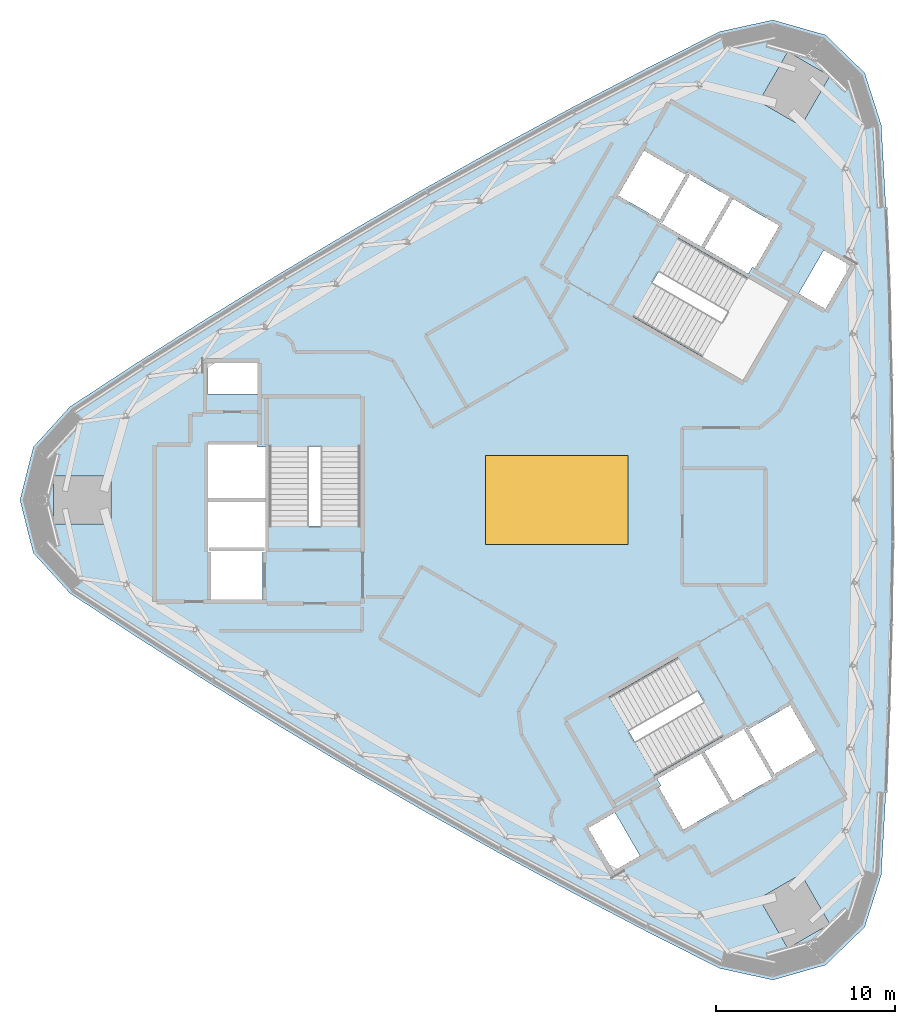
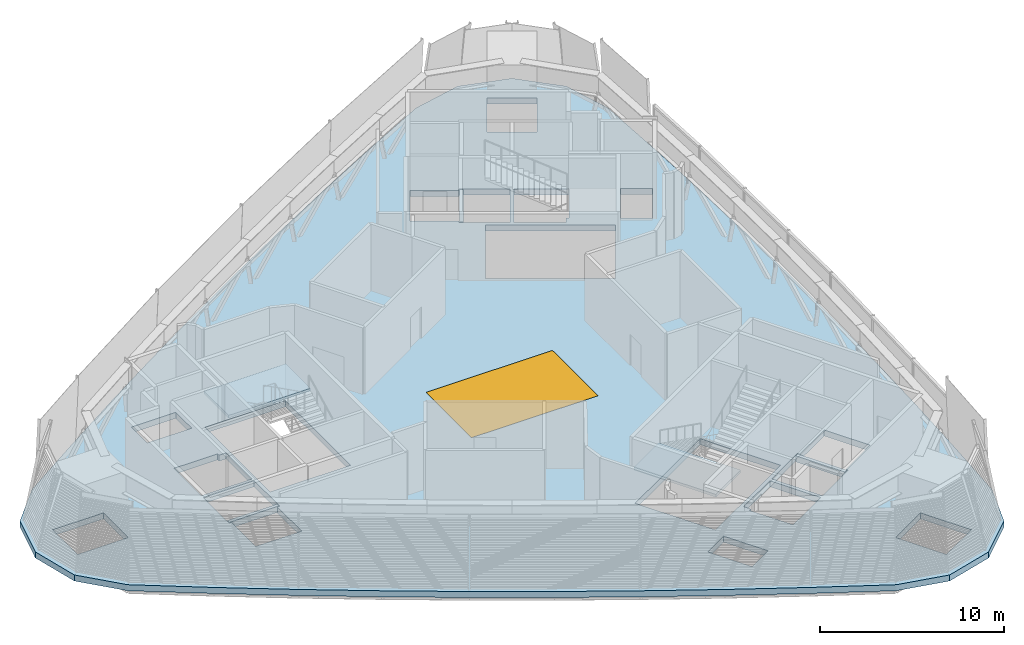
# One storey, part 4 of 18: 3 slabs, 1 window, 1 opening, 2 elements without a shape of their own.
"""IFC4 building model written with IfcOpenShell, lengths in metres."""

from ifc_helpers import new_model, si_unit, direction, frame, origin, origin_2d, place, context, subcontext, project, spatial, polyline, rectangle, outline, extrude, material, layer, layer_set, type_object, element, fill, aggregate, save


model = new_model("IFC4")

# Units and contexts
model_context = context("Model", 3, precision=1e-05, world=origin(), true_north=direction((0.0, 1.0)))
body_context = subcontext(model_context, "Body", "Model", "MODEL_VIEW")
ifc_project = project(units=[si_unit("LENGTHUNIT", "METRE"), si_unit("AREAUNIT", "SQUARE_METRE"), si_unit("VOLUMEUNIT", "CUBIC_METRE"), si_unit("PLANEANGLEUNIT", "RADIAN"), si_unit("MASSUNIT", "GRAM", prefix="KILO")], contexts=[model_context])

# Site, building, storey
site_placement = place(None, origin())
site = spatial("IfcSite", under=ifc_project, at=site_placement, CompositionType="ELEMENT")
building_placement = place(site_placement, origin())
building = spatial("IfcBuilding", under=site, at=building_placement, Name="Tamra Quay Hotel Tower", CompositionType="ELEMENT")
storey_placement = place(building_placement, frame((0.0, 0.0, 211.60009765625)))
storey = spatial("IfcBuildingStorey", under=building, at=storey_placement, Name="L53", CompositionType="ELEMENT", Elevation=211.60009765625)

# Stair, slab
ifc_material_1 = material(Name="Exit stair 2200 32 risers 150.0 going 299")
stair_type = type_object("IfcStairType", Name="Exit stair 2200 32 risers 150.0 going 299", PredefinedType="HALF_TURN_STAIR", material=ifc_material_1)
stair_1_placement = place(storey_placement, origin())
stair_1 = element("IfcStair", 1, at=stair_1_placement, inside=storey, type_object=stair_type, Name="L53 Exit stair ST3", PredefinedType="HALF_TURN_STAIR")
ifc_material_2 = material(Name="Concrete M70", Category="concrete")
ifc_layer_1 = layer(ifc_material_2, 0.175048828125)
ifc_layer_set_1 = layer_set([ifc_layer_1], Name="Concrete M70 stair landing 180")
slab_type_1 = type_object("IfcSlabType", Name="Concrete M70 stair landing 180", PredefinedType="LANDING", material=ifc_layer_set_1)
slab_1_placement = place(storey_placement, frame((0.0, 0.0, 2.224853515625)))
slab_1 = element("IfcSlab", 2, at=slab_1_placement, type_object=slab_type_1, Name="ST3 landing 1", PredefinedType="LANDING", context=body_context, shape_type="SweptSolid", body=[
    extrude(outline(polyline([(-10.932373046875, 2.98486328125), (-10.932373046875, 5.679931640625), (-16.09130859375, 5.679931640625), (-16.09130859375, 2.98486328125), (-10.932373046875, 2.98486328125)])), origin(), (0.0, 0.0, 1.0), 0.175048828125),
])
aggregate(stair_1, [slab_1])

stair_2_placement = place(storey_placement, origin())
stair_2 = element("IfcStair", 3, at=stair_2_placement, inside=storey, type_object=stair_type, Name="L53 Exit stair ST2", PredefinedType="HALF_TURN_STAIR")
slab_2_placement = place(storey_placement, frame((0.0, 0.0, 2.224853515625)))
slab_2 = element("IfcSlab", 4, at=slab_2_placement, type_object=slab_type_1, Name="ST2 landing 1", PredefinedType="LANDING", context=body_context, shape_type="SweptSolid", body=[
    extrude(outline(polyline([(2.881103515625, -10.960205078125), (0.547119140625, -12.3076171875), (3.126708984375, -16.775390625), (5.460693359375, -15.427978515625), (2.881103515625, -10.960205078125)])), origin(), (0.0, 0.0, 1.0), 0.175048828125),
])
aggregate(stair_2, [slab_2])

# Slab, opening, window
ifc_material_3 = material(Name="Concrete M60", Category="concrete")
ifc_layer_2 = layer(ifc_material_3, 0.39990234375)
ifc_layer_set_2 = layer_set([ifc_layer_2], Name="FLOOR SLAB PT 400")
slab_type_2 = type_object("IfcSlabType", Name="FLOOR SLAB PT 400", PredefinedType="FLOOR", material=ifc_layer_set_2)
slab_3_placement = place(storey_placement, frame((0.0, 0.0, -0.400146484375)))
slab_3 = element("IfcSlab", 5, at=slab_3_placement, inside=storey, type_object=slab_type_2, Name="SLAB-L53", PredefinedType="FLOOR", context=body_context, shape_type="SweptSolid", body=[
    extrude(outline(polyline([(18.350341796875, 16.27490234375), (18.543701171875, 11.627197265625), (18.6728515625, 6.977294921875), (18.737548828125, 2.325927734375), (18.737548828125, -2.325927734375), (18.6728515625, -6.977294921875), (18.543701171875, -11.627197265625), (18.350341796875, -16.27490234375), (18.092529296875, -20.919677734375), (17.167724609375, -23.82373046875), (14.9794921875, -25.9453125), (12.048095703125, -26.779541015625), (9.070556640625, -26.12841796875), (4.91943359375, -24.029296875), (0.797607421875, -21.873046875), (-3.293701171875, -19.659912109375), (-7.3544921875, -17.39013671875), (-11.383056640625, -15.064208984375), (-15.379150390625, -12.6826171875), (-19.34130859375, -10.245849609375), (-23.269775390625, -7.75439453125), (-27.1630859375, -5.208740234375), (-29.2158203125, -2.955810546875), (-29.958984375, 0.0), (-29.2158203125, 2.955810546875), (-27.1630859375, 5.208740234375), (-23.269775390625, 7.75439453125), (-19.34130859375, 10.245849609375), (-15.379150390625, 12.6826171875), (-11.383056640625, 15.064208984375), (-7.3544921875, 17.39013671875), (-3.293701171875, 19.659912109375), (0.797607421875, 21.873046875), (4.91943359375, 24.029296875), (9.070556640625, 26.12841796875), (12.048095703125, 26.779541015625), (14.9794921875, 25.9453125), (17.167724609375, 23.82373046875), (18.092529296875, 20.919677734375), (18.350341796875, 16.27490234375)]), holes=[polyline([(4.631103515625, -19.851318359375), (3.236083984375, -17.43505859375), (1.73779296875, -18.300048828125), (3.1328125, -20.71630859375), (4.631103515625, -19.851318359375)]), polyline([(0.622314453125, -12.32763671875), (3.146728515625, -16.7001953125), (9.2783203125, -13.160400390625), (6.75390625, -8.78759765625), (0.622314453125, -12.32763671875)]), polyline([(-19.4072265625, -2.89306640625), (-19.307373046875, -2.89306640625), (-19.307373046875, -5.544921875), (-16.417236328125, -5.544921875), (-16.417236328125, -2.89306640625), (-16.3173828125, -2.89306640625), (-16.3173828125, -2.85498046875), (-19.4072265625, -2.85498046875), (-19.4072265625, -2.89306640625)]), polyline([(-16.307373046875, -2.64501953125), (-16.307373046875, -2.89306640625), (-16.26708984375, -2.89306640625), (-16.26708984375, -0.10498046875), (-19.45751953125, -0.10498046875), (-19.45751953125, -2.89306640625), (-19.417236328125, -2.89306640625), (-19.417236328125, -2.64501953125), (-16.307373046875, -2.64501953125)]), polyline([(-28.089599609375, -1.35009765625), (-24.8896484375, -1.35009765625), (-24.8896484375, 1.35009765625), (-28.089599609375, 1.35009765625), (-28.089599609375, -1.35009765625)]), polyline([(-16.707275390625, 3.09521484375), (-19.45751953125, 3.09521484375), (-19.45751953125, 0.10498046875), (-16.26708984375, 0.10498046875), (-16.26708984375, 2.945068359375), (-16.707275390625, 2.945068359375), (-16.707275390625, 3.09521484375)]), polyline([(-10.9873046875, 5.625), (-16.036376953125, 5.625), (-16.036376953125, -1.455078125), (-10.9873046875, -1.455078125), (-10.9873046875, 5.625)]), polyline([(-19.50732421875, 7.64501953125), (-19.50732421875, 5.9150390625), (-16.71728515625, 5.9150390625), (-16.71728515625, 7.64501953125), (-19.50732421875, 7.64501953125)]), polyline([(7.231201171875, 18.234619140625), (7.1982421875, 18.253662109375), (7.148193359375, 18.1669921875), (4.8515625, 19.4931640625), (3.406494140625, 16.990234375), (5.703125, 15.664306640625), (5.6533203125, 15.57763671875), (5.68603515625, 15.55859375), (7.231201171875, 18.234619140625)]), polyline([(15.214111328125, -23.6513671875), (13.614013671875, -20.880126953125), (11.275634765625, -22.22998046875), (12.875732421875, -25.00146484375), (15.214111328125, -23.6513671875)]), polyline([(5.673095703125, -16.0166015625), (7.04833984375, -18.398193359375), (9.6376953125, -16.903076171875), (8.042724609375, -14.14013671875), (5.5830078125, -15.560302734375), (5.80322265625, -15.94140625), (5.673095703125, -16.0166015625)]), polyline([(10.4443359375, -12.800048828125), (10.6591796875, -12.676025390625), (10.63916015625, -12.64111328125), (8.224609375, -14.03515625), (9.819580078125, -16.798095703125), (12.234130859375, -15.404052734375), (12.214111328125, -15.369384765625), (11.999267578125, -15.493408203125), (10.4443359375, -12.800048828125)]), polyline([(12.208984375, -15.360595703125), (12.1591796875, -15.274169921875), (14.455810546875, -13.947998046875), (13.0107421875, -11.4453125), (10.714111328125, -12.771240234375), (10.6640625, -12.6845703125), (10.631103515625, -12.70361328125), (12.176025390625, -15.379638671875), (12.208984375, -15.360595703125)]), polyline([(10.364990234375, 6.702880859375), (12.889404296875, 11.075439453125), (6.758056640625, 14.615478515625), (4.2333984375, 10.242919921875), (10.364990234375, 6.702880859375)]), polyline([(14.876220703125, 13.936279296875), (13.481201171875, 11.52001953125), (14.9794921875, 10.655029296875), (16.37451171875, 13.0712890625), (14.876220703125, 13.936279296875)]), polyline([(11.0341796875, 12.92138671875), (12.4091796875, 15.302978515625), (9.819580078125, 16.798095703125), (8.224365234375, 14.035400390625), (10.68408203125, 12.615234375), (10.904052734375, 12.996337890625), (11.0341796875, 12.92138671875)]), polyline([(7.41796875, 18.138427734375), (5.863037109375, 15.445068359375), (5.648193359375, 15.569091796875), (5.628173828125, 15.5341796875), (8.04248046875, 14.140380859375), (9.6376953125, 16.903076171875), (7.22314453125, 18.297119140625), (7.203125, 18.262451171875), (7.41796875, 18.138427734375)]), polyline([(15.214111328125, 23.6513671875), (12.875732421875, 25.00146484375), (11.275634765625, 22.22998046875), (13.614013671875, 20.880126953125), (15.214111328125, 23.6513671875)])]), origin(), (0.0, 0.0, 1.0), 0.400146484375),
])
opening_placement = place(slab_3_placement, origin())
opening = element("IfcOpeningElement", 6, at=opening_placement, cuts=slab_3, Name="Opening SK1-7950", PredefinedType="OPENING", context=body_context, shape_type="SweptSolid", body=[
    extrude(rectangle(XDim=7.949951171875, YDim=4.9599609375, at=origin_2d()), origin(), (0.0, 0.0, 1.0), 0.400146484375),
])
ifc_material_4 = material(Name="Fire-rated laminated glass in steel frame", Category="steel")
window_type = type_object("IfcWindowType", Name="ATRIUM SKYLIGHT 7950X4960", PartitioningType="SINGLE_PANEL", PredefinedType="SKYLIGHT", material=ifc_material_4)
window_placement = place(opening_placement, frame((0.0, 0.0, 0.35009765625)))
window = element("IfcWindow", 7, at=window_placement, inside=storey, type_object=window_type, Name="SK1-7950", OverallHeight=4.9599609375, OverallWidth=7.949951171875, PartitioningType="SINGLE_PANEL", PredefinedType="SKYLIGHT", context=body_context, shape_type="SweptSolid", body=[
    extrude(rectangle(XDim=7.949951171875, YDim=4.9599609375, at=origin_2d()), origin(), (0.0, 0.0, 1.0), 0.050048828125),
])
fill(opening, window)

save(model, "model.ifc")
